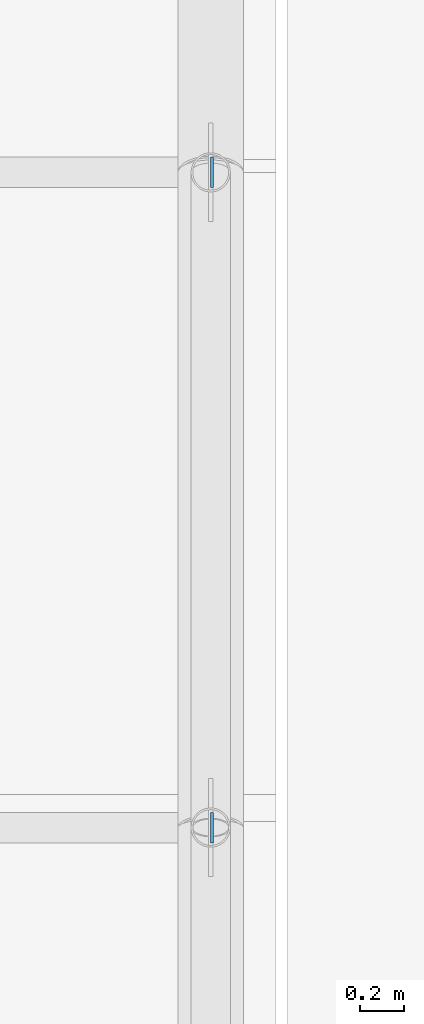
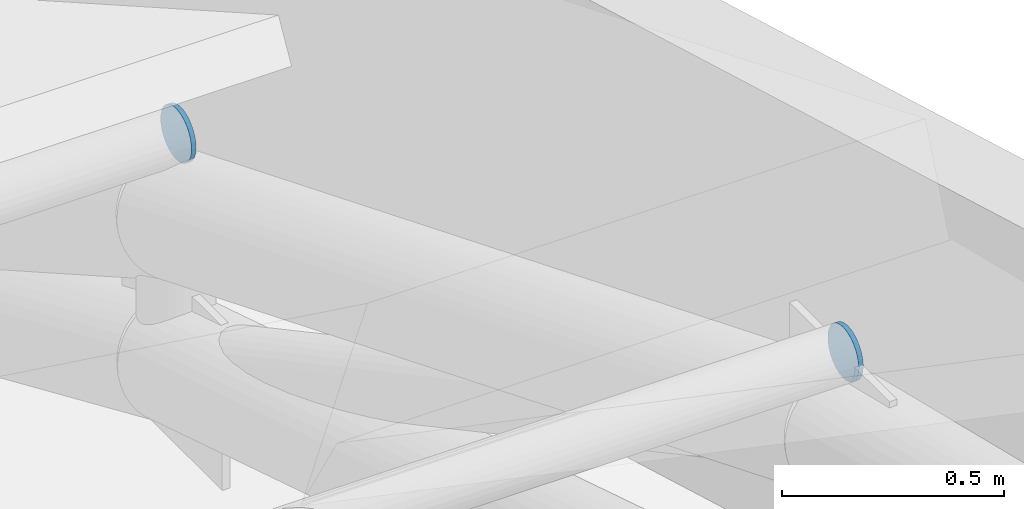
# One storey, part 109 of 163: 2 plates.
"""IFC4 building model written with IfcOpenShell, lengths in metres."""

from ifc_helpers import new_model, si_unit, direction, frame, origin, origin_2d, place, context, subcontext, project, spatial, circle, extrude, material, material_profile, profile_set, type_object, element, save


model = new_model("IFC4")

# Units and contexts
model_context = context("Model", 3, precision=1e-05, world=origin(), true_north=direction((0.0, 1.0)))
body_context = subcontext(model_context, "Body", "Model", "MODEL_VIEW")
ifc_project = project(units=[si_unit("LENGTHUNIT", "METRE"), si_unit("AREAUNIT", "SQUARE_METRE"), si_unit("VOLUMEUNIT", "CUBIC_METRE"), si_unit("PLANEANGLEUNIT", "RADIAN"), si_unit("MASSUNIT", "GRAM", prefix="KILO")], contexts=[model_context])

# Site, building, storey
site_placement = place(None, origin())
site = spatial("IfcSite", under=ifc_project, at=site_placement, CompositionType="ELEMENT")
building_placement = place(site_placement, origin())
building = spatial("IfcBuilding", under=site, at=building_placement, Name="Rain Tree Exposition and Congress Centre", CompositionType="ELEMENT")
storey_placement = place(building_placement, frame((0.0, 0.0, 10.5)))
storey = spatial("IfcBuildingStorey", under=building, at=storey_placement, Name="L02", CompositionType="ELEMENT", Elevation=10.5)

# Plates
ifc_material = material(Name="Steel S355J2", Category="steel")
ifc_material_profile = material_profile(ifc_material, circle(Radius=0.070068359375, at=origin_2d()), Name="CIRCLE 140")
ifc_profile_set = profile_set([ifc_material_profile], Name="Steel S355J2")
plate_type = type_object("IfcPlateType", Name="Purlin end plate 12 CHS 140", PredefinedType="SHEET", material=ifc_profile_set)
for number, where, z_axis, x_axis, name in (
    (1, (268.81201171875, 93.60009765625, 3.27490234375), (-1.0, 0.0, 0.0), (0.0, -1.0, 0.0), "End plate purlin 7.32"),
    (2, (268.81201171875, 96.60009765625, 2.056396484375), (-1.0, 0.0, 0.0), (0.0, -1.0, 0.0), "End plate purlin 8.32"),
):
    element("IfcPlate", number, at=place(storey_placement, frame(where, z_axis=z_axis, x_axis=x_axis)), inside=storey, type_object=plate_type, Name=name, PredefinedType="SHEET", context=body_context, shape_type="SweptSolid", body=[
        extrude(circle(Radius=0.070068359375, at=origin_2d()), origin(), (0.0, 0.0, 1.0), 0.011962890625),
    ])

save(model, "model.ifc")
